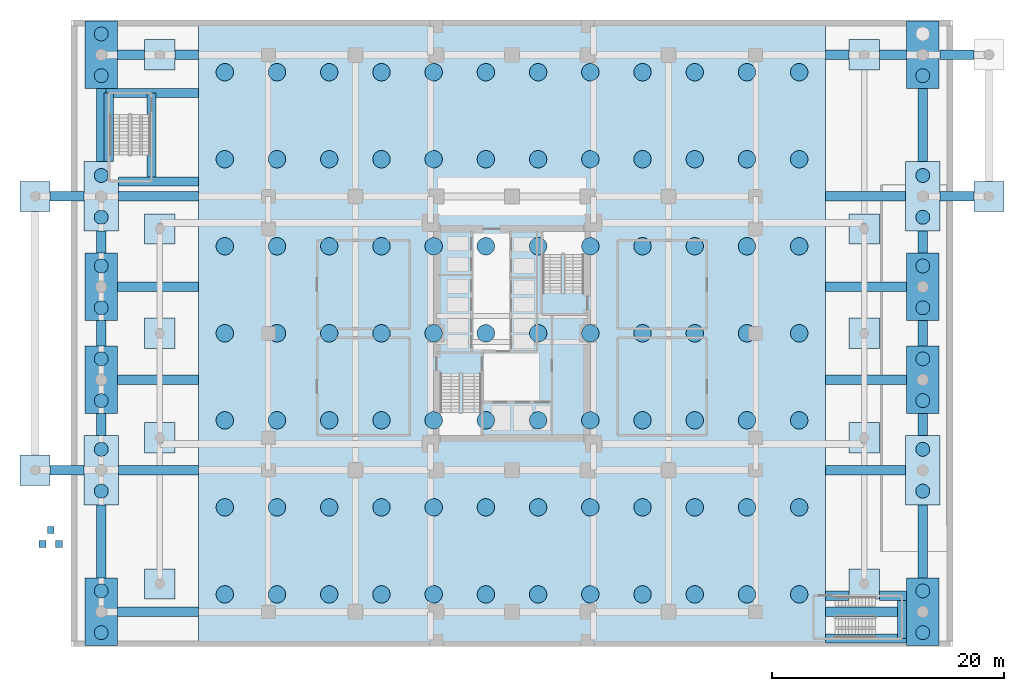
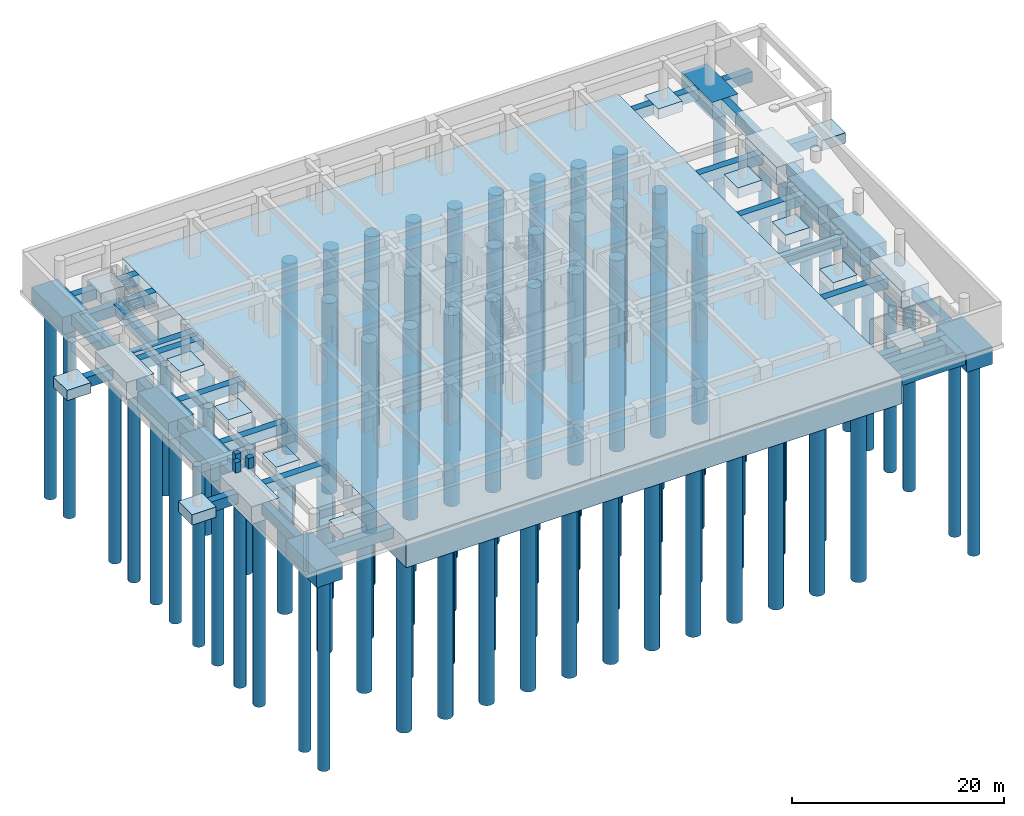
# One storey, part 1 of 14: 107 piles, 65 footings.
"""IFC4 building model written with IfcOpenShell, lengths in metres."""

from ifc_helpers import new_model, si_unit, direction, frame, origin, origin_2d, place, context, subcontext, project, spatial, rectangle, circle, extrude, source, transform, mapped, material, material_profile, profile_set, type_object, element, save


model = new_model("IFC4")

# Units and contexts
model_context = context("Model", 3, precision=1e-05, world=origin(), true_north=direction((0.0, 1.0)))
body_context = subcontext(model_context, "Body", "Model", "MODEL_VIEW")
ifc_project = project(units=[si_unit("LENGTHUNIT", "METRE"), si_unit("AREAUNIT", "SQUARE_METRE"), si_unit("VOLUMEUNIT", "CUBIC_METRE"), si_unit("PLANEANGLEUNIT", "RADIAN"), si_unit("MASSUNIT", "GRAM", prefix="KILO")], contexts=[model_context])

# Site, building, storey
site_placement = place(None, origin())
site = spatial("IfcSite", under=ifc_project, at=site_placement, CompositionType="ELEMENT")
building_placement = place(site_placement, origin())
building = spatial("IfcBuilding", under=site, at=building_placement, Name="Saelheon Loggia Tower", CompositionType="ELEMENT")
storey_placement = place(building_placement, frame((0.0, 0.0, -9.199951171875)))
storey = spatial("IfcBuildingStorey", under=building, at=storey_placement, Name="B2", CompositionType="ELEMENT", Elevation=-9.199951171875)

# Footing
ifc_material = material(Name="Concrete C50/60", Category="concrete")
footing_type_1 = type_object("IfcFootingType", Name="Footing_Raft_3200", PredefinedType="CAISSON_FOUNDATION", material=ifc_material)
shared_shape_1 = source(origin(), body_context, "Body", "SweptSolid", [
    extrude(rectangle(XDim=54.0, YDim=53.60009765625, at=origin_2d()), origin(), (0.0, 0.0, 1.0), 3.199951171875),
])
footing_1_placement = place(storey_placement, frame((38.0, 27.0, -3.2001953125), z_axis=(0.0, 0.0, 1.0), x_axis=(1.0, 0.0, 0.0)))
element("IfcFooting", 1, at=footing_1_placement, inside=storey, type_object=footing_type_1, Name="Tower Piled Foundation Raft FT-RAFT", PredefinedType="CAISSON_FOUNDATION", context=body_context, shape_type="MappedRepresentation", body=[
    mapped(shared_shape_1, transform((0.0, 0.0, 0.0), scale=1.0)),
])

# Piles
ifc_material_profile_1 = material_profile(ifc_material, circle(Radius=0.75, at=origin_2d()), Name="CIRC-1500")
ifc_profile_set_1 = profile_set([ifc_material_profile_1], Name="Concrete C50/60")
pile_type_1 = type_object("IfcPileType", Name="Pile_Bored_P1_1500", PredefinedType="BORED", material=ifc_profile_set_1)
shared_shape_2 = source(origin(), body_context, "Body", "SweptSolid", [
    extrude(circle(Radius=0.75, at=origin_2d()), origin(), (0.0, 0.0, 1.0), 22.0),
])
for number, where, z_axis, x_axis, name in (
    (2, (13.25, 4.5, -3.10009765625), (0.0, 0.0, -1.0), (1.0, 0.0, 0.0), "Bored Rock-Socketed Pile P1-001"),
    (3, (17.75, 4.5, -3.10009765625), (0.0, 0.0, -1.0), (1.0, 0.0, 0.0), "Bored Rock-Socketed Pile P1-002"),
    (4, (22.25, 4.5, -3.10009765625), (0.0, 0.0, -1.0), (1.0, 0.0, 0.0), "Bored Rock-Socketed Pile P1-003"),
    (5, (26.75, 4.5, -3.10009765625), (0.0, 0.0, -1.0), (1.0, 0.0, 0.0), "Bored Rock-Socketed Pile P1-004"),
    (6, (31.25, 4.5, -3.10009765625), (0.0, 0.0, -1.0), (1.0, 0.0, 0.0), "Bored Rock-Socketed Pile P1-005"),
    (7, (35.75, 4.5, -3.10009765625), (0.0, 0.0, -1.0), (1.0, 0.0, 0.0), "Bored Rock-Socketed Pile P1-006"),
    (8, (40.25, 4.5, -3.10009765625), (0.0, 0.0, -1.0), (1.0, 0.0, 0.0), "Bored Rock-Socketed Pile P1-007"),
    (9, (44.75, 4.5, -3.10009765625), (0.0, 0.0, -1.0), (1.0, 0.0, 0.0), "Bored Rock-Socketed Pile P1-008"),
    (10, (49.25, 4.5, -3.10009765625), (0.0, 0.0, -1.0), (1.0, 0.0, 0.0), "Bored Rock-Socketed Pile P1-009"),
    (11, (53.75, 4.5, -3.10009765625), (0.0, 0.0, -1.0), (1.0, 0.0, 0.0), "Bored Rock-Socketed Pile P1-010"),
    (12, (58.25, 4.5, -3.10009765625), (0.0, 0.0, -1.0), (1.0, 0.0, 0.0), "Bored Rock-Socketed Pile P1-011"),
    (13, (62.75, 4.5, -3.10009765625), (0.0, 0.0, -1.0), (1.0, 0.0, 0.0), "Bored Rock-Socketed Pile P1-012"),
    (14, (13.25, 12.0, -3.10009765625), (0.0, 0.0, -1.0), (1.0, 0.0, 0.0), "Bored Rock-Socketed Pile P1-013"),
    (15, (17.75, 12.0, -3.10009765625), (0.0, 0.0, -1.0), (1.0, 0.0, 0.0), "Bored Rock-Socketed Pile P1-014"),
    (16, (22.25, 12.0, -3.10009765625), (0.0, 0.0, -1.0), (1.0, 0.0, 0.0), "Bored Rock-Socketed Pile P1-015"),
    (17, (26.75, 12.0, -3.10009765625), (0.0, 0.0, -1.0), (1.0, 0.0, 0.0), "Bored Rock-Socketed Pile P1-016"),
    (18, (31.25, 12.0, -3.10009765625), (0.0, 0.0, -1.0), (1.0, 0.0, 0.0), "Bored Rock-Socketed Pile P1-017"),
    (19, (35.75, 12.0, -3.10009765625), (0.0, 0.0, -1.0), (1.0, 0.0, 0.0), "Bored Rock-Socketed Pile P1-018"),
    (20, (40.25, 12.0, -3.10009765625), (0.0, 0.0, -1.0), (1.0, 0.0, 0.0), "Bored Rock-Socketed Pile P1-019"),
    (21, (44.75, 12.0, -3.10009765625), (0.0, 0.0, -1.0), (1.0, 0.0, 0.0), "Bored Rock-Socketed Pile P1-020"),
    (22, (49.25, 12.0, -3.10009765625), (0.0, 0.0, -1.0), (1.0, 0.0, 0.0), "Bored Rock-Socketed Pile P1-021"),
    (23, (53.75, 12.0, -3.10009765625), (0.0, 0.0, -1.0), (1.0, 0.0, 0.0), "Bored Rock-Socketed Pile P1-022"),
    (24, (58.25, 12.0, -3.10009765625), (0.0, 0.0, -1.0), (1.0, 0.0, 0.0), "Bored Rock-Socketed Pile P1-023"),
    (25, (62.75, 12.0, -3.10009765625), (0.0, 0.0, -1.0), (1.0, 0.0, 0.0), "Bored Rock-Socketed Pile P1-024"),
    (26, (13.25, 19.5, -3.10009765625), (0.0, 0.0, -1.0), (1.0, 0.0, 0.0), "Bored Rock-Socketed Pile P1-025"),
    (27, (17.75, 19.5, -3.10009765625), (0.0, 0.0, -1.0), (1.0, 0.0, 0.0), "Bored Rock-Socketed Pile P1-026"),
    (28, (22.25, 19.5, -3.10009765625), (0.0, 0.0, -1.0), (1.0, 0.0, 0.0), "Bored Rock-Socketed Pile P1-027"),
    (29, (26.75, 19.5, -3.10009765625), (0.0, 0.0, -1.0), (1.0, 0.0, 0.0), "Bored Rock-Socketed Pile P1-028"),
    (30, (31.25, 19.5, -3.10009765625), (0.0, 0.0, -1.0), (1.0, 0.0, 0.0), "Bored Rock-Socketed Pile P1-029"),
    (31, (35.75, 19.5, -3.10009765625), (0.0, 0.0, -1.0), (1.0, 0.0, 0.0), "Bored Rock-Socketed Pile P1-030"),
    (32, (40.25, 19.5, -3.10009765625), (0.0, 0.0, -1.0), (1.0, 0.0, 0.0), "Bored Rock-Socketed Pile P1-031"),
    (33, (44.75, 19.5, -3.10009765625), (0.0, 0.0, -1.0), (1.0, 0.0, 0.0), "Bored Rock-Socketed Pile P1-032"),
    (34, (49.25, 19.5, -3.10009765625), (0.0, 0.0, -1.0), (1.0, 0.0, 0.0), "Bored Rock-Socketed Pile P1-033"),
    (35, (53.75, 19.5, -3.10009765625), (0.0, 0.0, -1.0), (1.0, 0.0, 0.0), "Bored Rock-Socketed Pile P1-034"),
    (36, (58.25, 19.5, -3.10009765625), (0.0, 0.0, -1.0), (1.0, 0.0, 0.0), "Bored Rock-Socketed Pile P1-035"),
    (37, (62.75, 19.5, -3.10009765625), (0.0, 0.0, -1.0), (1.0, 0.0, 0.0), "Bored Rock-Socketed Pile P1-036"),
    (38, (13.25, 27.0, -3.10009765625), (0.0, 0.0, -1.0), (1.0, 0.0, 0.0), "Bored Rock-Socketed Pile P1-037"),
    (39, (17.75, 27.0, -3.10009765625), (0.0, 0.0, -1.0), (1.0, 0.0, 0.0), "Bored Rock-Socketed Pile P1-038"),
    (40, (22.25, 27.0, -3.10009765625), (0.0, 0.0, -1.0), (1.0, 0.0, 0.0), "Bored Rock-Socketed Pile P1-039"),
    (41, (26.75, 27.0, -3.10009765625), (0.0, 0.0, -1.0), (1.0, 0.0, 0.0), "Bored Rock-Socketed Pile P1-040"),
    (42, (31.25, 27.0, -3.10009765625), (0.0, 0.0, -1.0), (1.0, 0.0, 0.0), "Bored Rock-Socketed Pile P1-041"),
    (43, (35.75, 27.0, -3.10009765625), (0.0, 0.0, -1.0), (1.0, 0.0, 0.0), "Bored Rock-Socketed Pile P1-042"),
    (44, (40.25, 27.0, -3.10009765625), (0.0, 0.0, -1.0), (1.0, 0.0, 0.0), "Bored Rock-Socketed Pile P1-043"),
    (45, (44.75, 27.0, -3.10009765625), (0.0, 0.0, -1.0), (1.0, 0.0, 0.0), "Bored Rock-Socketed Pile P1-044"),
    (46, (49.25, 27.0, -3.10009765625), (0.0, 0.0, -1.0), (1.0, 0.0, 0.0), "Bored Rock-Socketed Pile P1-045"),
    (47, (53.75, 27.0, -3.10009765625), (0.0, 0.0, -1.0), (1.0, 0.0, 0.0), "Bored Rock-Socketed Pile P1-046"),
    (48, (58.25, 27.0, -3.10009765625), (0.0, 0.0, -1.0), (1.0, 0.0, 0.0), "Bored Rock-Socketed Pile P1-047"),
    (49, (62.75, 27.0, -3.10009765625), (0.0, 0.0, -1.0), (1.0, 0.0, 0.0), "Bored Rock-Socketed Pile P1-048"),
    (50, (13.25, 34.5, -3.10009765625), (0.0, 0.0, -1.0), (1.0, 0.0, 0.0), "Bored Rock-Socketed Pile P1-049"),
    (51, (17.75, 34.5, -3.10009765625), (0.0, 0.0, -1.0), (1.0, 0.0, 0.0), "Bored Rock-Socketed Pile P1-050"),
    (52, (22.25, 34.5, -3.10009765625), (0.0, 0.0, -1.0), (1.0, 0.0, 0.0), "Bored Rock-Socketed Pile P1-051"),
    (53, (26.75, 34.5, -3.10009765625), (0.0, 0.0, -1.0), (1.0, 0.0, 0.0), "Bored Rock-Socketed Pile P1-052"),
    (54, (31.25, 34.5, -3.10009765625), (0.0, 0.0, -1.0), (1.0, 0.0, 0.0), "Bored Rock-Socketed Pile P1-053"),
    (55, (35.75, 34.5, -3.10009765625), (0.0, 0.0, -1.0), (1.0, 0.0, 0.0), "Bored Rock-Socketed Pile P1-054"),
    (56, (40.25, 34.5, -3.10009765625), (0.0, 0.0, -1.0), (1.0, 0.0, 0.0), "Bored Rock-Socketed Pile P1-055"),
    (57, (44.75, 34.5, -3.10009765625), (0.0, 0.0, -1.0), (1.0, 0.0, 0.0), "Bored Rock-Socketed Pile P1-056"),
    (58, (49.25, 34.5, -3.10009765625), (0.0, 0.0, -1.0), (1.0, 0.0, 0.0), "Bored Rock-Socketed Pile P1-057"),
    (59, (53.75, 34.5, -3.10009765625), (0.0, 0.0, -1.0), (1.0, 0.0, 0.0), "Bored Rock-Socketed Pile P1-058"),
    (60, (58.25, 34.5, -3.10009765625), (0.0, 0.0, -1.0), (1.0, 0.0, 0.0), "Bored Rock-Socketed Pile P1-059"),
    (61, (62.75, 34.5, -3.10009765625), (0.0, 0.0, -1.0), (1.0, 0.0, 0.0), "Bored Rock-Socketed Pile P1-060"),
    (62, (13.25, 42.0, -3.10009765625), (0.0, 0.0, -1.0), (1.0, 0.0, 0.0), "Bored Rock-Socketed Pile P1-061"),
    (63, (17.75, 42.0, -3.10009765625), (0.0, 0.0, -1.0), (1.0, 0.0, 0.0), "Bored Rock-Socketed Pile P1-062"),
    (64, (22.25, 42.0, -3.10009765625), (0.0, 0.0, -1.0), (1.0, 0.0, 0.0), "Bored Rock-Socketed Pile P1-063"),
    (65, (26.75, 42.0, -3.10009765625), (0.0, 0.0, -1.0), (1.0, 0.0, 0.0), "Bored Rock-Socketed Pile P1-064"),
    (66, (31.25, 42.0, -3.10009765625), (0.0, 0.0, -1.0), (1.0, 0.0, 0.0), "Bored Rock-Socketed Pile P1-065"),
    (67, (35.75, 42.0, -3.10009765625), (0.0, 0.0, -1.0), (1.0, 0.0, 0.0), "Bored Rock-Socketed Pile P1-066"),
    (68, (40.25, 42.0, -3.10009765625), (0.0, 0.0, -1.0), (1.0, 0.0, 0.0), "Bored Rock-Socketed Pile P1-067"),
    (69, (44.75, 42.0, -3.10009765625), (0.0, 0.0, -1.0), (1.0, 0.0, 0.0), "Bored Rock-Socketed Pile P1-068"),
    (70, (49.25, 42.0, -3.10009765625), (0.0, 0.0, -1.0), (1.0, 0.0, 0.0), "Bored Rock-Socketed Pile P1-069"),
    (71, (53.75, 42.0, -3.10009765625), (0.0, 0.0, -1.0), (1.0, 0.0, 0.0), "Bored Rock-Socketed Pile P1-070"),
    (72, (58.25, 42.0, -3.10009765625), (0.0, 0.0, -1.0), (1.0, 0.0, 0.0), "Bored Rock-Socketed Pile P1-071"),
    (73, (62.75, 42.0, -3.10009765625), (0.0, 0.0, -1.0), (1.0, 0.0, 0.0), "Bored Rock-Socketed Pile P1-072"),
    (74, (13.25, 49.5, -3.10009765625), (0.0, 0.0, -1.0), (1.0, 0.0, 0.0), "Bored Rock-Socketed Pile P1-073"),
    (75, (17.75, 49.5, -3.10009765625), (0.0, 0.0, -1.0), (1.0, 0.0, 0.0), "Bored Rock-Socketed Pile P1-074"),
    (76, (22.25, 49.5, -3.10009765625), (0.0, 0.0, -1.0), (1.0, 0.0, 0.0), "Bored Rock-Socketed Pile P1-075"),
    (77, (26.75, 49.5, -3.10009765625), (0.0, 0.0, -1.0), (1.0, 0.0, 0.0), "Bored Rock-Socketed Pile P1-076"),
    (78, (31.25, 49.5, -3.10009765625), (0.0, 0.0, -1.0), (1.0, 0.0, 0.0), "Bored Rock-Socketed Pile P1-077"),
    (79, (35.75, 49.5, -3.10009765625), (0.0, 0.0, -1.0), (1.0, 0.0, 0.0), "Bored Rock-Socketed Pile P1-078"),
    (80, (40.25, 49.5, -3.10009765625), (0.0, 0.0, -1.0), (1.0, 0.0, 0.0), "Bored Rock-Socketed Pile P1-079"),
    (81, (44.75, 49.5, -3.10009765625), (0.0, 0.0, -1.0), (1.0, 0.0, 0.0), "Bored Rock-Socketed Pile P1-080"),
    (82, (49.25, 49.5, -3.10009765625), (0.0, 0.0, -1.0), (1.0, 0.0, 0.0), "Bored Rock-Socketed Pile P1-081"),
    (83, (53.75, 49.5, -3.10009765625), (0.0, 0.0, -1.0), (1.0, 0.0, 0.0), "Bored Rock-Socketed Pile P1-082"),
    (84, (58.25, 49.5, -3.10009765625), (0.0, 0.0, -1.0), (1.0, 0.0, 0.0), "Bored Rock-Socketed Pile P1-083"),
    (85, (62.75, 49.5, -3.10009765625), (0.0, 0.0, -1.0), (1.0, 0.0, 0.0), "Bored Rock-Socketed Pile P1-084"),
):
    element("IfcPile", number, at=place(storey_placement, frame(where, z_axis=z_axis, x_axis=x_axis)), inside=storey, type_object=pile_type_1, Name=name, PredefinedType="BORED", context=body_context, shape_type="MappedRepresentation", body=[
        mapped(shared_shape_2, transform((0.0, 0.0, 0.0), scale=1.0)),
    ])

# Footings
footing_type_2 = type_object("IfcFootingType", Name="Footing_PileCap_PC1", PredefinedType="PILE_CAP", material=ifc_material)
shared_shape_3 = source(origin(), body_context, "Body", "SweptSolid", [
    extrude(rectangle(XDim=2.800048828125, YDim=5.800048828125, at=origin_2d()), origin(), (0.0, 0.0, 1.0), 2.0),
])
for number, where, z_axis, x_axis, name in (
    (86, (2.60009765625, 3.0, -2.0), (0.0, 0.0, 1.0), (1.0, 0.0, 0.0), "Podium Pile Cap FT-PC1 W1"),
    (87, (2.60009765625, 23.0, -2.0), (0.0, 0.0, 1.0), (1.0, 0.0, 0.0), "Podium Pile Cap FT-PC1 W3"),
    (88, (2.60009765625, 31.0, -2.0), (0.0, 0.0, 1.0), (1.0, 0.0, 0.0), "Podium Pile Cap FT-PC1 W4"),
    (89, (2.60009765625, 51.0, -2.0), (0.0, 0.0, 1.0), (1.0, 0.0, 0.0), "Podium Pile Cap FT-PC1 W6"),
    (90, (73.39990234375, 3.0, -2.0), (0.0, 0.0, 1.0), (1.0, 0.0, 0.0), "Podium Pile Cap FT-PC1 E1"),
    (91, (73.39990234375, 23.0, -2.0), (0.0, 0.0, 1.0), (1.0, 0.0, 0.0), "Podium Pile Cap FT-PC1 E3"),
    (92, (73.39990234375, 31.0, -2.0), (0.0, 0.0, 1.0), (1.0, 0.0, 0.0), "Podium Pile Cap FT-PC1 E4"),
    (93, (73.39990234375, 51.0, -2.0), (0.0, 0.0, 1.0), (1.0, 0.0, 0.0), "Podium Pile Cap FT-PC1 E6"),
):
    element("IfcFooting", number, at=place(storey_placement, frame(where, z_axis=z_axis, x_axis=x_axis)), inside=storey, type_object=footing_type_2, Name=name, PredefinedType="PILE_CAP", context=body_context, shape_type="MappedRepresentation", body=[
        mapped(shared_shape_3, transform((0.0, 0.0, 0.0), scale=1.0)),
    ])

# Piles
ifc_material_profile_2 = material_profile(ifc_material, circle(Radius=0.60009765625, at=origin_2d()), Name="CIRC-1200")
ifc_profile_set_2 = profile_set([ifc_material_profile_2], Name="Concrete C50/60")
pile_type_2 = type_object("IfcPileType", Name="Pile_Bored_P2_1200", PredefinedType="BORED", material=ifc_profile_set_2)
shared_shape_4 = source(origin(), body_context, "Body", "SweptSolid", [
    extrude(circle(Radius=0.60009765625, at=origin_2d()), origin(), (0.0, 0.0, 1.0), 22.0),
])
for number, where, z_axis, x_axis, name in (
    (94, (2.60009765625, 1.199951171875, -1.900146484375), (0.0, 0.0, -1.0), (1.0, 0.0, 0.0), "Bored Rock-Socketed Pile P2-001"),
    (95, (2.60009765625, 4.800048828125, -1.900146484375), (0.0, 0.0, -1.0), (1.0, 0.0, 0.0), "Bored Rock-Socketed Pile P2-002"),
    (96, (2.60009765625, 13.39990234375, -1.900146484375), (0.0, 0.0, -1.0), (1.0, 0.0, 0.0), "Bored Rock-Socketed Pile P2-003"),
    (97, (2.60009765625, 17.0, -1.900146484375), (0.0, 0.0, -1.0), (1.0, 0.0, 0.0), "Bored Rock-Socketed Pile P2-004"),
    (98, (2.60009765625, 21.199951171875, -1.900146484375), (0.0, 0.0, -1.0), (1.0, 0.0, 0.0), "Bored Rock-Socketed Pile P2-005"),
    (99, (2.60009765625, 24.800048828125, -1.900146484375), (0.0, 0.0, -1.0), (1.0, 0.0, 0.0), "Bored Rock-Socketed Pile P2-006"),
    (100, (2.60009765625, 29.199951171875, -1.900146484375), (0.0, 0.0, -1.0), (1.0, 0.0, 0.0), "Bored Rock-Socketed Pile P2-007"),
    (101, (2.60009765625, 32.800048828125, -1.900146484375), (0.0, 0.0, -1.0), (1.0, 0.0, 0.0), "Bored Rock-Socketed Pile P2-008"),
    (102, (2.60009765625, 37.0, -1.900146484375), (0.0, 0.0, -1.0), (1.0, 0.0, 0.0), "Bored Rock-Socketed Pile P2-009"),
    (103, (2.60009765625, 40.60009765625, -1.900146484375), (0.0, 0.0, -1.0), (1.0, 0.0, 0.0), "Bored Rock-Socketed Pile P2-010"),
    (104, (2.60009765625, 49.199951171875, -1.900146484375), (0.0, 0.0, -1.0), (1.0, 0.0, 0.0), "Bored Rock-Socketed Pile P2-011"),
    (105, (2.60009765625, 52.800048828125, -1.900146484375), (0.0, 0.0, -1.0), (1.0, 0.0, 0.0), "Bored Rock-Socketed Pile P2-012"),
    (106, (73.39990234375, 1.199951171875, -1.900146484375), (0.0, 0.0, -1.0), (1.0, 0.0, 0.0), "Bored Rock-Socketed Pile P2-013"),
    (107, (73.39990234375, 4.800048828125, -1.900146484375), (0.0, 0.0, -1.0), (1.0, 0.0, 0.0), "Bored Rock-Socketed Pile P2-014"),
    (108, (73.39990234375, 13.39990234375, -1.900146484375), (0.0, 0.0, -1.0), (1.0, 0.0, 0.0), "Bored Rock-Socketed Pile P2-015"),
    (109, (73.39990234375, 17.0, -1.900146484375), (0.0, 0.0, -1.0), (1.0, 0.0, 0.0), "Bored Rock-Socketed Pile P2-016"),
    (110, (73.39990234375, 21.199951171875, -1.900146484375), (0.0, 0.0, -1.0), (1.0, 0.0, 0.0), "Bored Rock-Socketed Pile P2-017"),
    (111, (73.39990234375, 24.800048828125, -1.900146484375), (0.0, 0.0, -1.0), (1.0, 0.0, 0.0), "Bored Rock-Socketed Pile P2-018"),
    (112, (73.39990234375, 29.199951171875, -1.900146484375), (0.0, 0.0, -1.0), (1.0, 0.0, 0.0), "Bored Rock-Socketed Pile P2-019"),
    (113, (73.39990234375, 32.800048828125, -1.900146484375), (0.0, 0.0, -1.0), (1.0, 0.0, 0.0), "Bored Rock-Socketed Pile P2-020"),
    (114, (73.39990234375, 37.0, -1.900146484375), (0.0, 0.0, -1.0), (1.0, 0.0, 0.0), "Bored Rock-Socketed Pile P2-021"),
    (115, (73.39990234375, 40.60009765625, -1.900146484375), (0.0, 0.0, -1.0), (1.0, 0.0, 0.0), "Bored Rock-Socketed Pile P2-022"),
    (116, (73.39990234375, 49.199951171875, -1.900146484375), (0.0, 0.0, -1.0), (1.0, 0.0, 0.0), "Bored Rock-Socketed Pile P2-023"),
):
    element("IfcPile", number, at=place(storey_placement, frame(where, z_axis=z_axis, x_axis=x_axis)), inside=storey, type_object=pile_type_2, Name=name, PredefinedType="BORED", context=body_context, shape_type="MappedRepresentation", body=[
        mapped(shared_shape_4, transform((0.0, 0.0, 0.0), scale=1.0)),
    ])

# Footings
footing_type_3 = type_object("IfcFootingType", Name="Footing_PileCap_PC2", PredefinedType="PILE_CAP", material=ifc_material)
shared_shape_5 = source(origin(), body_context, "Body", "SweptSolid", [
    extrude(rectangle(XDim=3.0, YDim=6.0, at=origin_2d()), origin(), (0.0, 0.0, 1.0), 2.0),
])
for number, where, z_axis, x_axis, name in (
    (117, (2.60009765625, 15.199951171875, -2.0), (0.0, 0.0, 1.0), (1.0, 0.0, 0.0), "Podium Pile Cap FT-PC2 W2"),
    (118, (2.60009765625, 38.800048828125, -2.0), (0.0, 0.0, 1.0), (1.0, 0.0, 0.0), "Podium Pile Cap FT-PC2 W5"),
    (119, (73.39990234375, 15.199951171875, -2.0), (0.0, 0.0, 1.0), (1.0, 0.0, 0.0), "Podium Pile Cap FT-PC2 E2"),
    (120, (73.39990234375, 38.800048828125, -2.0), (0.0, 0.0, 1.0), (1.0, 0.0, 0.0), "Podium Pile Cap FT-PC2 E5"),
):
    element("IfcFooting", number, at=place(storey_placement, frame(where, z_axis=z_axis, x_axis=x_axis)), inside=storey, type_object=footing_type_3, Name=name, PredefinedType="PILE_CAP", context=body_context, shape_type="MappedRepresentation", body=[
        mapped(shared_shape_5, transform((0.0, 0.0, 0.0), scale=1.0)),
    ])
footing_type_4 = type_object("IfcFootingType", Name="Footing_Pad_PD1", PredefinedType="PAD_FOOTING", material=ifc_material)
shared_shape_6 = source(origin(), body_context, "Body", "SweptSolid", [
    extrude(rectangle(XDim=2.60009765625, YDim=2.60009765625, at=origin_2d()), origin(), (0.0, 0.0, 1.0), 1.199951171875),
])
for number, where, z_axis, x_axis, name in (
    (121, (7.64990234375, 5.39990234375, -1.2001953125), (0.0, 0.0, 1.0), (1.0, 0.0, 0.0), "Substructure Pad Footing FT-PD1-01"),
    (122, (7.64990234375, 18.0, -1.2001953125), (0.0, 0.0, 1.0), (1.0, 0.0, 0.0), "Substructure Pad Footing FT-PD1-02"),
    (123, (7.64990234375, 27.0, -1.2001953125), (0.0, 0.0, 1.0), (1.0, 0.0, 0.0), "Substructure Pad Footing FT-PD1-03"),
    (124, (7.64990234375, 36.0, -1.2001953125), (0.0, 0.0, 1.0), (1.0, 0.0, 0.0), "Substructure Pad Footing FT-PD1-04"),
    (125, (7.64990234375, 51.0, -1.2001953125), (0.0, 0.0, 1.0), (1.0, 0.0, 0.0), "Substructure Pad Footing FT-PD1-05"),
    (126, (68.35009765625, 5.39990234375, -1.2001953125), (0.0, 0.0, 1.0), (1.0, 0.0, 0.0), "Substructure Pad Footing FT-PD1-06"),
    (127, (68.35009765625, 18.0, -1.2001953125), (0.0, 0.0, 1.0), (1.0, 0.0, 0.0), "Substructure Pad Footing FT-PD1-07"),
    (128, (68.35009765625, 27.0, -1.2001953125), (0.0, 0.0, 1.0), (1.0, 0.0, 0.0), "Substructure Pad Footing FT-PD1-08"),
    (129, (68.35009765625, 36.0, -1.2001953125), (0.0, 0.0, 1.0), (1.0, 0.0, 0.0), "Substructure Pad Footing FT-PD1-09"),
    (130, (68.35009765625, 51.0, -1.2001953125), (0.0, 0.0, 1.0), (1.0, 0.0, 0.0), "Substructure Pad Footing FT-PD1-10"),
    (131, (-3.10009765625, 15.199951171875, -1.2001953125), (0.0, 0.0, 1.0), (1.0, 0.0, 0.0), "Substructure Pad Footing FT-PD1-11"),
    (132, (-3.10009765625, 38.800048828125, -1.2001953125), (0.0, 0.0, 1.0), (1.0, 0.0, 0.0), "Substructure Pad Footing FT-PD1-12"),
    (133, (79.10009765625, 38.800048828125, -1.2001953125), (0.0, 0.0, 1.0), (1.0, 0.0, 0.0), "Substructure Pad Footing FT-PD1-13"),
):
    element("IfcFooting", number, at=place(storey_placement, frame(where, z_axis=z_axis, x_axis=x_axis)), inside=storey, type_object=footing_type_4, Name=name, PredefinedType="PAD_FOOTING", context=body_context, shape_type="MappedRepresentation", body=[
        mapped(shared_shape_6, transform((0.0, 0.0, 0.0), scale=1.0)),
    ])
footing_type_5 = type_object("IfcFootingType", Name="Footing_GradeBeam_GB1", PredefinedType="FOOTING_BEAM", material=ifc_material)
shared_shape_7 = source(origin(), body_context, "Body", "SweptSolid", [
    extrude(rectangle(XDim=0.800048828125, YDim=6.300048828125, at=origin_2d()), origin(), (0.0, 0.0, 1.0), 1.199951171875),
])
for number, where, z_axis, x_axis, name in (
    (134, (2.60009765625, 9.050048828125, -1.2001953125), (0.0, 0.0, 1.0), (1.0, 0.0, 0.0), "Foundation Tie Beam FT-GB1-01"),
    (135, (2.60009765625, 44.949951171875, -1.2001953125), (0.0, 0.0, 1.0), (1.0, 0.0, 0.0), "Foundation Tie Beam FT-GB1-05"),
    (136, (73.39990234375, 9.050048828125, -1.2001953125), (0.0, 0.0, 1.0), (1.0, 0.0, 0.0), "Foundation Tie Beam FT-GB1-06"),
    (137, (73.39990234375, 44.949951171875, -1.2001953125), (0.0, 0.0, 1.0), (1.0, 0.0, 0.0), "Foundation Tie Beam FT-GB1-10"),
):
    element("IfcFooting", number, at=place(storey_placement, frame(where, z_axis=z_axis, x_axis=x_axis)), inside=storey, type_object=footing_type_5, Name=name, PredefinedType="FOOTING_BEAM", context=body_context, shape_type="MappedRepresentation", body=[
        mapped(shared_shape_7, transform((0.0, 0.0, 0.0), scale=1.0)),
    ])
shared_shape_8 = source(origin(), body_context, "Body", "SweptSolid", [
    extrude(rectangle(XDim=0.800048828125, YDim=1.89990234375, at=origin_2d()), origin(), (0.0, 0.0, 1.0), 1.199951171875),
])
for number, where, z_axis, x_axis, name in (
    (138, (2.60009765625, 19.14990234375, -1.2001953125), (0.0, 0.0, 1.0), (1.0, 0.0, 0.0), "Foundation Tie Beam FT-GB1-02"),
    (139, (2.60009765625, 34.85009765625, -1.2001953125), (0.0, 0.0, 1.0), (1.0, 0.0, 0.0), "Foundation Tie Beam FT-GB1-04"),
    (140, (73.39990234375, 19.14990234375, -1.2001953125), (0.0, 0.0, 1.0), (1.0, 0.0, 0.0), "Foundation Tie Beam FT-GB1-07"),
    (141, (73.39990234375, 34.85009765625, -1.2001953125), (0.0, 0.0, 1.0), (1.0, 0.0, 0.0), "Foundation Tie Beam FT-GB1-09"),
):
    element("IfcFooting", number, at=place(storey_placement, frame(where, z_axis=z_axis, x_axis=x_axis)), inside=storey, type_object=footing_type_5, Name=name, PredefinedType="FOOTING_BEAM", context=body_context, shape_type="MappedRepresentation", body=[
        mapped(shared_shape_8, transform((0.0, 0.0, 0.0), scale=1.0)),
    ])
shared_shape_9 = source(origin(), body_context, "Body", "SweptSolid", [
    extrude(rectangle(XDim=0.800048828125, YDim=2.199951171875, at=origin_2d()), origin(), (0.0, 0.0, 1.0), 1.199951171875),
])
for number, where, z_axis, x_axis, name in (
    (142, (2.60009765625, 27.0, -1.2001953125), (0.0, 0.0, 1.0), (1.0, 0.0, 0.0), "Foundation Tie Beam FT-GB1-03"),
    (143, (73.39990234375, 27.0, -1.2001953125), (0.0, 0.0, 1.0), (1.0, 0.0, 0.0), "Foundation Tie Beam FT-GB1-08"),
):
    element("IfcFooting", number, at=place(storey_placement, frame(where, z_axis=z_axis, x_axis=x_axis)), inside=storey, type_object=footing_type_5, Name=name, PredefinedType="FOOTING_BEAM", context=body_context, shape_type="MappedRepresentation", body=[
        mapped(shared_shape_9, transform((0.0, 0.0, 0.0), scale=1.0)),
    ])
shared_shape_10 = source(origin(), body_context, "Body", "SweptSolid", [
    extrude(rectangle(XDim=2.89990234375, YDim=0.800048828125, at=origin_2d()), origin(), (0.0, 0.0, 1.0), 1.199951171875),
])
for number, where, z_axis, x_axis, name in (
    (144, (-0.35009765625, 15.199951171875, -1.2001953125), (0.0, 0.0, 1.0), (1.0, 0.0, 0.0), "Foundation Tie Beam FT-GB1-11"),
    (145, (-0.35009765625, 38.800048828125, -1.2001953125), (0.0, 0.0, 1.0), (1.0, 0.0, 0.0), "Foundation Tie Beam FT-GB1-12"),
    (146, (76.35009765625, 38.800048828125, -1.2001953125), (0.0, 0.0, 1.0), (1.0, 0.0, 0.0), "Foundation Tie Beam FT-GB1-13"),
    (147, (76.35009765625, 51.0, -1.2001953125), (0.0, 0.0, 1.0), (1.0, 0.0, 0.0), "Foundation Tie Beam FT-GB1-14"),
):
    element("IfcFooting", number, at=place(storey_placement, frame(where, z_axis=z_axis, x_axis=x_axis)), inside=storey, type_object=footing_type_5, Name=name, PredefinedType="FOOTING_BEAM", context=body_context, shape_type="MappedRepresentation", body=[
        mapped(shared_shape_10, transform((0.0, 0.0, 0.0), scale=1.0)),
    ])
shared_shape_11 = source(origin(), body_context, "Body", "SweptSolid", [
    extrude(rectangle(XDim=7.0, YDim=0.800048828125, at=origin_2d()), origin(), (0.0, 0.0, 1.0), 1.199951171875),
])
for number, where, z_axis, x_axis, name in (
    (148, (7.5, 3.0, -1.2001953125), (0.0, 0.0, 1.0), (1.0, 0.0, 0.0), "Foundation Tie Beam FT-GB1-15"),
    (149, (7.5, 23.0, -1.2001953125), (0.0, 0.0, 1.0), (1.0, 0.0, 0.0), "Foundation Tie Beam FT-GB1-17"),
    (150, (7.5, 31.0, -1.2001953125), (0.0, 0.0, 1.0), (1.0, 0.0, 0.0), "Foundation Tie Beam FT-GB1-18"),
    (151, (68.5, 3.0, -1.2001953125), (0.0, 0.0, 1.0), (1.0, 0.0, 0.0), "Foundation Tie Beam FT-GB1-22"),
    (152, (68.5, 23.0, -1.2001953125), (0.0, 0.0, 1.0), (1.0, 0.0, 0.0), "Foundation Tie Beam FT-GB1-24"),
    (153, (68.5, 31.0, -1.2001953125), (0.0, 0.0, 1.0), (1.0, 0.0, 0.0), "Foundation Tie Beam FT-GB1-25"),
    (154, (68.5, 0.68994140625, -1.2001953125), (0.0, 0.0, 1.0), (1.0, 0.0, 0.0), "Stair Shaft Strip Footing ST4-S"),
):
    element("IfcFooting", number, at=place(storey_placement, frame(where, z_axis=z_axis, x_axis=x_axis)), inside=storey, type_object=footing_type_5, Name=name, PredefinedType="FOOTING_BEAM", context=body_context, shape_type="MappedRepresentation", body=[
        mapped(shared_shape_11, transform((0.0, 0.0, 0.0), scale=1.0)),
    ])
shared_shape_12 = source(origin(), body_context, "Body", "SweptSolid", [
    extrude(rectangle(XDim=6.89990234375, YDim=0.800048828125, at=origin_2d()), origin(), (0.0, 0.0, 1.0), 1.199951171875),
])
for number, where, z_axis, x_axis, name in (
    (155, (7.550048828125, 15.199951171875, -1.2001953125), (0.0, 0.0, 1.0), (1.0, 0.0, 0.0), "Foundation Tie Beam FT-GB1-16"),
    (156, (7.550048828125, 38.800048828125, -1.2001953125), (0.0, 0.0, 1.0), (1.0, 0.0, 0.0), "Foundation Tie Beam FT-GB1-19"),
    (157, (68.449951171875, 15.199951171875, -1.2001953125), (0.0, 0.0, 1.0), (1.0, 0.0, 0.0), "Foundation Tie Beam FT-GB1-23"),
    (158, (68.449951171875, 38.800048828125, -1.2001953125), (0.0, 0.0, 1.0), (1.0, 0.0, 0.0), "Foundation Tie Beam FT-GB1-26"),
    (159, (7.550048828125, 40.090087890625, -1.2001953125), (0.0, 0.0, 1.0), (1.0, 0.0, 0.0), "Stair Shaft Strip Footing ST3-S"),
):
    element("IfcFooting", number, at=place(storey_placement, frame(where, z_axis=z_axis, x_axis=x_axis)), inside=storey, type_object=footing_type_5, Name=name, PredefinedType="FOOTING_BEAM", context=body_context, shape_type="MappedRepresentation", body=[
        mapped(shared_shape_12, transform((0.0, 0.0, 0.0), scale=1.0)),
    ])
shared_shape_13 = source(origin(), body_context, "Body", "SweptSolid", [
    extrude(rectangle(XDim=2.35009765625, YDim=0.800048828125, at=origin_2d()), origin(), (0.0, 0.0, 1.0), 1.199951171875),
])
for number, where, z_axis, x_axis, name in (
    (160, (5.175048828125, 51.0, -1.2001953125), (0.0, 0.0, 1.0), (1.0, 0.0, 0.0), "Foundation Tie Beam FT-GB1-20"),
    (161, (70.824951171875, 51.0, -1.2001953125), (0.0, 0.0, 1.0), (1.0, 0.0, 0.0), "Foundation Tie Beam FT-GB1-28"),
    (162, (70.824951171875, 4.389892578125, -1.2001953125), (0.0, 0.0, 1.0), (1.0, 0.0, 0.0), "Stair Shaft Strip Footing ST4-N2"),
):
    element("IfcFooting", number, at=place(storey_placement, frame(where, z_axis=z_axis, x_axis=x_axis)), inside=storey, type_object=footing_type_5, Name=name, PredefinedType="FOOTING_BEAM", context=body_context, shape_type="MappedRepresentation", body=[
        mapped(shared_shape_13, transform((0.0, 0.0, 0.0), scale=1.0)),
    ])
shared_shape_14 = source(origin(), body_context, "Body", "SweptSolid", [
    extrude(rectangle(XDim=2.050048828125, YDim=0.800048828125, at=origin_2d()), origin(), (0.0, 0.0, 1.0), 1.199951171875),
])
for number, where, z_axis, x_axis, name in (
    (163, (9.97509765625, 51.0, -1.2001953125), (0.0, 0.0, 1.0), (1.0, 0.0, 0.0), "Foundation Tie Beam FT-GB1-21"),
    (164, (66.02490234375, 51.0, -1.2001953125), (0.0, 0.0, 1.0), (1.0, 0.0, 0.0), "Foundation Tie Beam FT-GB1-27"),
    (165, (66.02490234375, 4.389892578125, -1.2001953125), (0.0, 0.0, 1.0), (1.0, 0.0, 0.0), "Stair Shaft Strip Footing ST4-N1"),
):
    element("IfcFooting", number, at=place(storey_placement, frame(where, z_axis=z_axis, x_axis=x_axis)), inside=storey, type_object=footing_type_5, Name=name, PredefinedType="FOOTING_BEAM", context=body_context, shape_type="MappedRepresentation", body=[
        mapped(shared_shape_14, transform((0.0, 0.0, 0.0), scale=1.0)),
    ])
shared_shape_15 = source(origin(), body_context, "Body", "SweptSolid", [
    extrude(rectangle(XDim=0.60009765625, YDim=0.60009765625, at=origin_2d()), origin(), (0.0, 0.0, 1.0), 1.199951171875),
])
for number, where, z_axis, x_axis, name in (
    (166, (-2.449951171875, 8.85009765625, 7.43017578125), (0.0, 0.0, 1.0), (1.0, 0.0, 0.0), "West Entrance Ramp Landing Pier Footing 1"),
    (167, (-1.050048828125, 8.85009765625, 7.43017578125), (0.0, 0.0, 1.0), (1.0, 0.0, 0.0), "West Entrance Ramp Landing Pier Footing 2"),
    (168, (-1.75, 10.050048828125, 7.43017578125), (0.0, 0.0, 1.0), (1.0, 0.0, 0.0), "West Entrance Ramp Landing Pier Footing 3"),
):
    element("IfcFooting", number, at=place(storey_placement, frame(where, z_axis=z_axis, x_axis=x_axis)), inside=storey, type_object=footing_type_5, Name=name, PredefinedType="FOOTING_BEAM", context=body_context, shape_type="MappedRepresentation", body=[
        mapped(shared_shape_15, transform((0.0, 0.0, 0.0), scale=1.0)),
    ])
shared_shape_16 = source(origin(), body_context, "Body", "SweptSolid", [
    extrude(rectangle(XDim=8.39990234375, YDim=0.800048828125, at=origin_2d()), origin(), (0.0, 0.0, 1.0), 1.199951171875),
])
footing_2_placement = place(storey_placement, frame((6.800048828125, 47.7099609375, -1.2001953125), z_axis=(0.0, 0.0, 1.0), x_axis=(1.0, 0.0, 0.0)))
element("IfcFooting", 169, at=footing_2_placement, inside=storey, type_object=footing_type_5, Name="Stair Shaft Strip Footing ST3-N", PredefinedType="FOOTING_BEAM", context=body_context, shape_type="MappedRepresentation", body=[
    mapped(shared_shape_16, transform((0.0, 0.0, 0.0), scale=1.0)),
])
shared_shape_17 = source(origin(), body_context, "Body", "SweptSolid", [
    extrude(rectangle(XDim=0.800048828125, YDim=5.909912109375, at=origin_2d()), origin(), (0.0, 0.0, 1.0), 1.199951171875),
])
footing_3_placement = place(storey_placement, frame((3.239990234375, 44.7548828125, -1.2001953125), z_axis=(0.0, 0.0, 1.0), x_axis=(1.0, 0.0, 0.0)))
element("IfcFooting", 170, at=footing_3_placement, inside=storey, type_object=footing_type_5, Name="Stair Shaft Strip Footing ST3-W", PredefinedType="FOOTING_BEAM", context=body_context, shape_type="MappedRepresentation", body=[
    mapped(shared_shape_17, transform((0.0, 0.0, 0.0), scale=1.0)),
])
shared_shape_18 = source(origin(), body_context, "Body", "SweptSolid", [
    extrude(rectangle(XDim=0.800048828125, YDim=7.6201171875, at=origin_2d()), origin(), (0.0, 0.0, 1.0), 1.199951171875),
])
footing_4_placement = place(storey_placement, frame((6.93994140625, 43.89990234375, -1.2001953125), z_axis=(0.0, 0.0, 1.0), x_axis=(1.0, 0.0, 0.0)))
element("IfcFooting", 171, at=footing_4_placement, inside=storey, type_object=footing_type_5, Name="Stair Shaft Strip Footing ST3-E", PredefinedType="FOOTING_BEAM", context=body_context, shape_type="MappedRepresentation", body=[
    mapped(shared_shape_18, transform((0.0, 0.0, 0.0), scale=1.0)),
])
shared_shape_19 = source(origin(), body_context, "Body", "SweptSolid", [
    extrude(rectangle(XDim=0.800048828125, YDim=3.699951171875, at=origin_2d()), origin(), (0.0, 0.0, 1.0), 1.199951171875),
])
footing_5_placement = place(storey_placement, frame((71.610107421875, 2.5400390625, -1.2001953125), z_axis=(0.0, 0.0, 1.0), x_axis=(1.0, 0.0, 0.0)))
element("IfcFooting", 172, at=footing_5_placement, inside=storey, type_object=footing_type_5, Name="Stair Shaft Strip Footing ST4-E", PredefinedType="FOOTING_BEAM", context=body_context, shape_type="MappedRepresentation", body=[
    mapped(shared_shape_19, transform((0.0, 0.0, 0.0), scale=1.0)),
])

save(model, "model.ifc")
